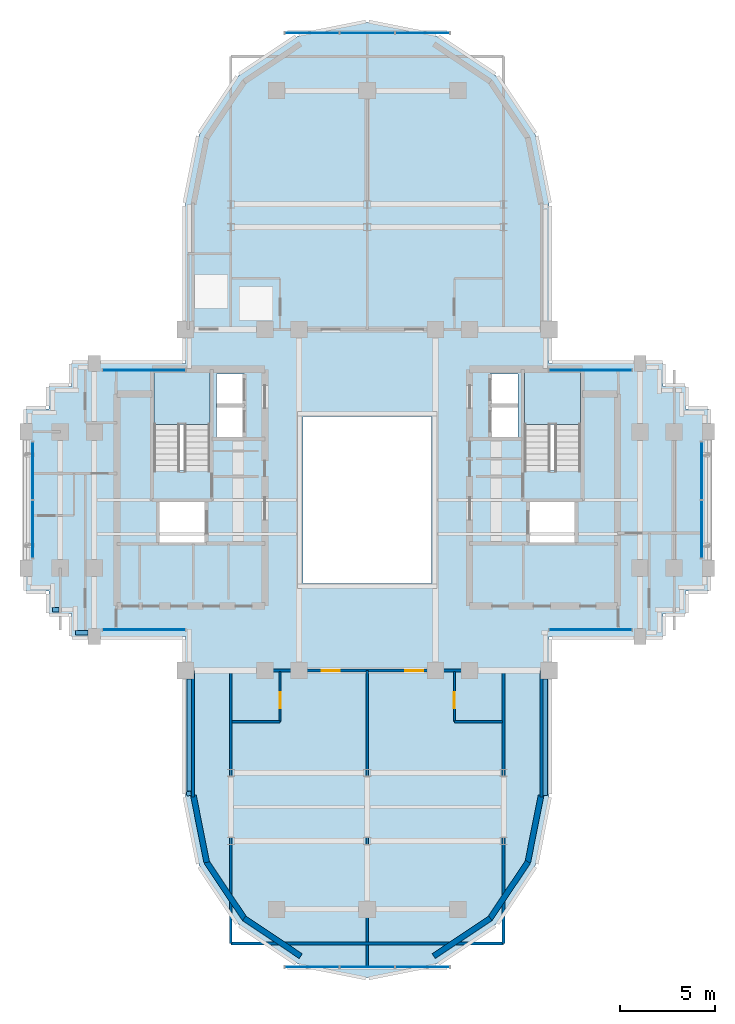
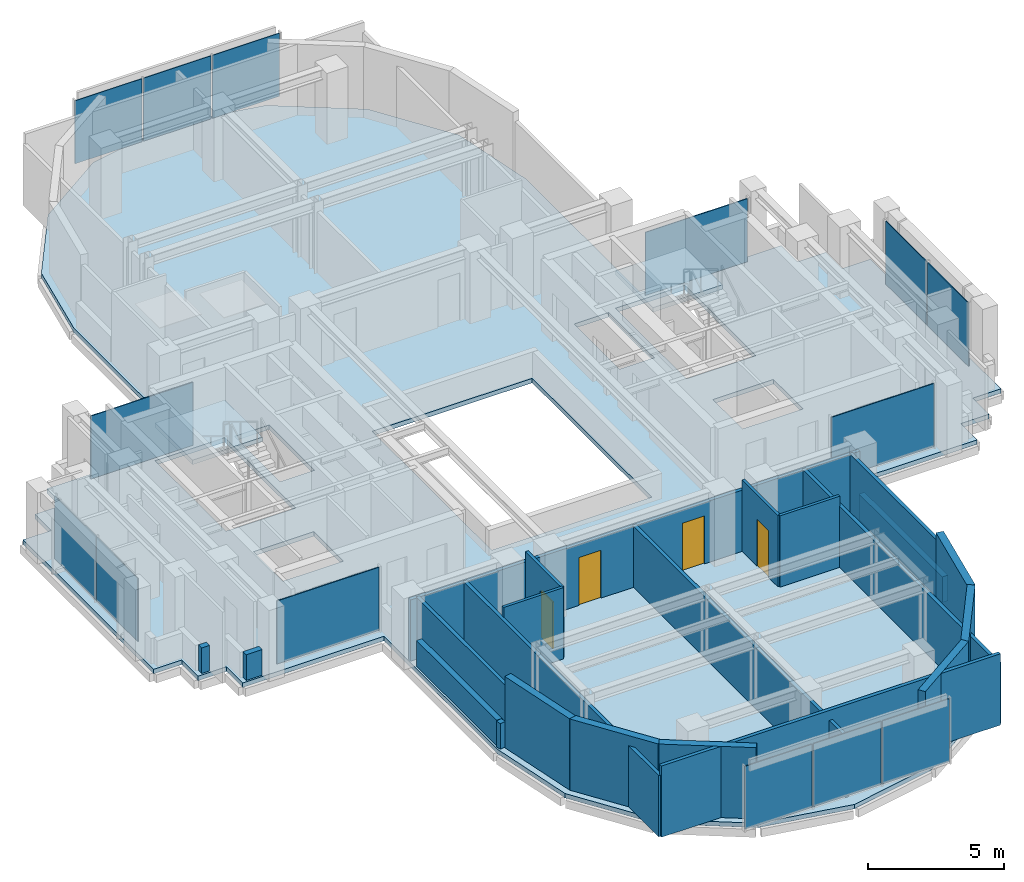
# One storey, part 5 of 12: 22 walls, 14 plates, 4 doors, 3 slabs, 4 openings, 10 elements without a shape of their own.
"""IFC4 building model written with IfcOpenShell, lengths in metres."""

from ifc_helpers import new_model, si_unit, direction, frame, frame_2d, origin, origin_2d, place, context, subcontext, project, spatial, polyline, rectangle, outline, extrude, source, transform, mapped, material, layer, layer_set, type_object, element, fill, aggregate, save


model = new_model("IFC4")

# Units and contexts
model_context = context("Model", 3, precision=1e-05, world=origin(), true_north=direction((0.0, 1.0)))
body_context = subcontext(model_context, "Body", "Model", "MODEL_VIEW")
ifc_project = project(units=[si_unit("LENGTHUNIT", "METRE"), si_unit("AREAUNIT", "SQUARE_METRE"), si_unit("VOLUMEUNIT", "CUBIC_METRE"), si_unit("PLANEANGLEUNIT", "RADIAN"), si_unit("MASSUNIT", "GRAM", prefix="KILO")], contexts=[model_context])

# Site, building, storey
site_placement = place(None, origin())
site = spatial("IfcSite", under=ifc_project, at=site_placement, CompositionType="ELEMENT")
building_placement = place(site_placement, origin())
building = spatial("IfcBuilding", under=site, at=building_placement, Name="Keilestroom Media Tower", CompositionType="ELEMENT")
storey_placement = place(building_placement, frame((0.0, 0.0, 184.199951171875)))
storey = spatial("IfcBuildingStorey", under=building, at=storey_placement, Name="L50", CompositionType="ELEMENT", Elevation=184.199951171875)

# Slab
ifc_material_1 = material(Name="Concrete C50/60", Category="concrete")
ifc_layer_1 = layer(ifc_material_1, 0.199951171875)
ifc_layer_set_1 = layer_set([ifc_layer_1], Name="Concrete C50/60")
slab_type_1 = type_object("IfcSlabType", Name="Composite-Floor-Slab-200", PredefinedType="FLOOR", material=ifc_layer_set_1)
slab_1_placement = place(storey_placement, frame((0.0, 0.0, -0.199951171875)))
element("IfcSlab", 1, at=slab_1_placement, inside=storey, type_object=slab_type_1, Name="L50 Structural Composite Floor Slab", PredefinedType="FLOOR", context=body_context, shape_type="SweptSolid", body=[
    extrude(outline(polyline([(18.0, -4.800048828125), (18.0, 4.800048828125), (16.800048828125, 4.800048828125), (16.800048828125, 6.0), (15.60009765625, 6.0), (15.60009765625, 7.199951171875), (9.60009765625, 7.199951171875), (9.60009765625, 9.60009765625), (9.60009765625, 15.60009765625), (8.869140625, 19.273681640625), (6.7880859375, 22.38818359375), (3.673828125, 24.46923828125), (0.0, 25.199951171875), (-3.673828125, 24.46923828125), (-6.7880859375, 22.38818359375), (-8.869140625, 19.273681640625), (-9.60009765625, 15.60009765625), (-9.60009765625, 9.60009765625), (-9.60009765625, 7.199951171875), (-15.60009765625, 7.199951171875), (-15.60009765625, 6.0), (-16.800048828125, 6.0), (-16.800048828125, 4.800048828125), (-18.0, 4.800048828125), (-18.0, -4.800048828125), (-16.800048828125, -4.800048828125), (-16.800048828125, -6.0), (-15.60009765625, -6.0), (-15.60009765625, -7.199951171875), (-9.60009765625, -7.199951171875), (-9.60009765625, -9.60009765625), (-9.60009765625, -15.60009765625), (-8.869140625, -19.273681640625), (-6.7880859375, -22.38818359375), (-3.673828125, -24.46923828125), (0.0, -25.199951171875), (3.673828125, -24.46923828125), (6.7880859375, -22.38818359375), (8.869140625, -19.273681640625), (9.60009765625, -15.60009765625), (9.60009765625, -9.60009765625), (9.60009765625, -7.199951171875), (15.60009765625, -7.199951171875), (15.60009765625, -6.0), (16.800048828125, -6.0), (16.800048828125, -4.800048828125), (18.0, -4.800048828125)]), holes=[polyline([(-8.300048828125, 1.544921875), (-11.260009765625, 1.544921875), (-11.260009765625, 6.760009765625), (-8.300048828125, 6.760009765625), (-8.300048828125, 1.544921875)]), polyline([(-8.47998046875, -2.280029296875), (-11.050048828125, -2.280029296875), (-11.050048828125, -0.10009765625), (-8.47998046875, -0.10009765625), (-8.47998046875, -2.280029296875)]), polyline([(-6.47998046875, 3.300048828125), (-7.949951171875, 3.300048828125), (-7.949951171875, 6.64990234375), (-6.47998046875, 6.64990234375), (-6.47998046875, 3.300048828125)]), polyline([(3.39990234375, -4.39990234375), (-3.39990234375, -4.39990234375), (-3.39990234375, 4.39990234375), (3.39990234375, 4.39990234375), (3.39990234375, -4.39990234375)]), polyline([(7.949951171875, 3.300048828125), (6.47998046875, 3.300048828125), (6.47998046875, 6.64990234375), (7.949951171875, 6.64990234375), (7.949951171875, 3.300048828125)]), polyline([(11.260009765625, 1.544921875), (8.300048828125, 1.544921875), (8.300048828125, 6.760009765625), (11.260009765625, 6.760009765625), (11.260009765625, 1.544921875)]), polyline([(11.050048828125, -2.280029296875), (8.47998046875, -2.280029296875), (8.47998046875, -0.10009765625), (11.050048828125, -0.10009765625), (11.050048828125, -2.280029296875)])]), origin(), (0.0, 0.0, 1.0), 0.199951171875),
])

# Stair, slab
ifc_material_2 = material(Name="Concrete C45/55", Category="concrete")
stair_type = type_object("IfcStairType", Name="Enclosed-Dog-Leg-Stair-ST-CORE", PredefinedType="HALF_TURN_STAIR", material=ifc_material_2)
stair_1_placement = place(storey_placement, origin())
stair_1 = element("IfcStair", 2, at=stair_1_placement, inside=storey, type_object=stair_type, Name="L50 West Core Escape Stair ST-1", PredefinedType="HALF_TURN_STAIR")
ifc_layer_2 = layer(ifc_material_2, 0.199951171875)
ifc_layer_set_2 = layer_set([ifc_layer_2], Name="Concrete C45/55")
slab_type_2 = type_object("IfcSlabType", Name="Stair-Intermediate-And-Top-Landing-Slab-200", PredefinedType="LANDING", material=ifc_layer_set_2)
slab_2_placement = place(storey_placement, frame((0.0, 0.0, 1.5)))
slab_2 = element("IfcSlab", 3, at=slab_2_placement, type_object=slab_type_2, Name="ST-1 landing 1", PredefinedType="LANDING", context=body_context, shape_type="SweptSolid", body=[
    extrude(outline(polyline([(-8.300048828125, 3.99609375), (-8.300048828125, 6.760009765625), (-11.260009765625, 6.760009765625), (-11.260009765625, 3.99609375), (-8.300048828125, 3.99609375)])), origin(), (0.0, 0.0, 1.0), 0.199951171875),
])
aggregate(stair_1, [slab_2])

stair_2_placement = place(storey_placement, origin())
stair_2 = element("IfcStair", 4, at=stair_2_placement, inside=storey, type_object=stair_type, Name="L50 East Core Escape Stair ST-2", PredefinedType="HALF_TURN_STAIR")
slab_3_placement = place(storey_placement, frame((0.0, 0.0, 1.5)))
slab_3 = element("IfcSlab", 5, at=slab_3_placement, type_object=slab_type_2, Name="ST-2 landing 1", PredefinedType="LANDING", context=body_context, shape_type="SweptSolid", body=[
    extrude(outline(polyline([(11.260009765625, 3.99609375), (11.260009765625, 6.760009765625), (8.300048828125, 6.760009765625), (8.300048828125, 3.99609375), (11.260009765625, 3.99609375)])), origin(), (0.0, 0.0, 1.0), 0.199951171875),
])
aggregate(stair_2, [slab_3])

# Curtain wall, plates
ifc_material_3 = material(Name="Anodised Aluminium Alloy", Category="aluminium")
curtain_wall_type_1 = type_object("IfcCurtainWallType", Name="Unitised-Curtain-Wall-CW-6", PredefinedType="NOTDEFINED", material=ifc_material_3)
curtain_wall_1_placement = place(storey_placement, origin())
curtain_wall_1 = element("IfcCurtainWall", 6, at=curtain_wall_1_placement, inside=storey, type_object=curtain_wall_type_1, Name="L50 Curtain Wall CW-6 CW-L50-LN-1", PredefinedType="NOTDEFINED")
ifc_material_4 = material(Name="Curved-Facet Triple Glazed Unit", Category="glass")
ifc_layer_3 = layer(ifc_material_4, 0.033935546875)
ifc_layer_set_3 = layer_set([ifc_layer_3], Name="Curved-Facet Triple Glazed Unit")
plate_type_1 = type_object("IfcPlateType", Name="Insulated-Curtain-Wall-Glazing-Panel-CW-6", PredefinedType="CURTAIN_PANEL", material=ifc_layer_set_3)
shared_shape_1 = source(origin(), body_context, "Body", "SweptSolid", [
    extrude(rectangle(XDim=2.84375, YDim=0.033935546875, at=origin_2d()), origin(), (0.0, 0.0, 1.0), 2.833984375),
])
plate_1_placement = place(storey_placement, frame((-2.9169921875, 24.64990234375, 0.072998046875), z_axis=(0.0, 0.0, 1.0), x_axis=(1.0, 0.0, 0.0)))
plate_1 = element("IfcPlate", 7, at=plate_1_placement, type_object=plate_type_1, Name="CW-6 Unitised Glazing 00", PredefinedType="CURTAIN_PANEL", context=body_context, shape_type="MappedRepresentation", body=[
    mapped(shared_shape_1, transform((0.0, 0.0, 0.0), x_axis=(1.0, 0.0, 0.0), y_axis=(0.0, 1.0, 0.0), z_axis=(0.0, 0.0, 1.0), scale=1.0)),
])
plate_2_placement = place(storey_placement, frame((2.9169921875, 24.64990234375, 0.072998046875), z_axis=(0.0, 0.0, 1.0), x_axis=(1.0, 0.0, 0.0)))
plate_2 = element("IfcPlate", 8, at=plate_2_placement, type_object=plate_type_1, Name="CW-6 Unitised Glazing 02", PredefinedType="CURTAIN_PANEL", context=body_context, shape_type="MappedRepresentation", body=[
    mapped(shared_shape_1, transform((0.0, 0.0, 0.0), x_axis=(1.0, 0.0, 0.0), y_axis=(0.0, 1.0, 0.0), z_axis=(0.0, 0.0, 1.0), scale=1.0)),
])

curtain_wall_2_placement = place(storey_placement, origin())
curtain_wall_2 = element("IfcCurtainWall", 9, at=curtain_wall_2_placement, inside=storey, type_object=curtain_wall_type_1, Name="L50 Curtain Wall CW-6 CW-L50-LS-1", PredefinedType="NOTDEFINED")
plate_3_placement = place(storey_placement, frame((-2.9169921875, -24.64990234375, 0.072998046875), z_axis=(0.0, 0.0, 1.0), x_axis=(1.0, 0.0, 0.0)))
plate_3 = element("IfcPlate", 10, at=plate_3_placement, type_object=plate_type_1, Name="CW-6 Unitised Glazing 00", PredefinedType="CURTAIN_PANEL", context=body_context, shape_type="MappedRepresentation", body=[
    mapped(shared_shape_1, transform((0.0, 0.0, 0.0), x_axis=(1.0, 0.0, 0.0), y_axis=(0.0, 1.0, 0.0), z_axis=(0.0, 0.0, 1.0), scale=1.0)),
])
plate_4_placement = place(storey_placement, frame((2.9169921875, -24.64990234375, 0.072998046875), z_axis=(0.0, 0.0, 1.0), x_axis=(1.0, 0.0, 0.0)))
plate_4 = element("IfcPlate", 11, at=plate_4_placement, type_object=plate_type_1, Name="CW-6 Unitised Glazing 02", PredefinedType="CURTAIN_PANEL", context=body_context, shape_type="MappedRepresentation", body=[
    mapped(shared_shape_1, transform((0.0, 0.0, 0.0), x_axis=(1.0, 0.0, 0.0), y_axis=(0.0, 1.0, 0.0), z_axis=(0.0, 0.0, 1.0), scale=1.0)),
])

# Plate
shared_shape_2 = source(origin(), body_context, "Body", "SweptSolid", [
    extrude(rectangle(XDim=2.876220703125, YDim=0.033935546875, at=origin_2d()), origin(), (0.0, 0.0, 1.0), 2.833984375),
])
plate_5_placement = place(storey_placement, frame((0.0, 24.64990234375, 0.072998046875), z_axis=(0.0, 0.0, 1.0), x_axis=(1.0, 0.0, 0.0)))
plate_5 = element("IfcPlate", 12, at=plate_5_placement, type_object=plate_type_1, Name="CW-6 Unitised Glazing 01", PredefinedType="CURTAIN_PANEL", context=body_context, shape_type="MappedRepresentation", body=[
    mapped(shared_shape_2, transform((0.0, 0.0, 0.0), x_axis=(1.0, 0.0, 0.0), y_axis=(0.0, 1.0, 0.0), z_axis=(0.0, 0.0, 1.0), scale=1.0)),
])

aggregate(curtain_wall_1, [plate_1, plate_5, plate_2])

plate_6_placement = place(storey_placement, frame((0.0, -24.64990234375, 0.072998046875), z_axis=(0.0, 0.0, 1.0), x_axis=(1.0, 0.0, 0.0)))
plate_6 = element("IfcPlate", 13, at=plate_6_placement, type_object=plate_type_1, Name="CW-6 Unitised Glazing 01", PredefinedType="CURTAIN_PANEL", context=body_context, shape_type="MappedRepresentation", body=[
    mapped(shared_shape_2, transform((0.0, 0.0, 0.0), x_axis=(1.0, 0.0, 0.0), y_axis=(0.0, 1.0, 0.0), z_axis=(0.0, 0.0, 1.0), scale=1.0)),
])

aggregate(curtain_wall_2, [plate_3, plate_6, plate_4])

# Curtain wall, plate
curtain_wall_type_2 = type_object("IfcCurtainWallType", Name="Unitised-Curtain-Wall-CW-3", PredefinedType="NOTDEFINED", material=ifc_material_3)
curtain_wall_3_placement = place(storey_placement, origin())
curtain_wall_3 = element("IfcCurtainWall", 14, at=curtain_wall_3_placement, inside=storey, type_object=curtain_wall_type_2, Name="L50 Curtain Wall CW-3 CW-L50-NW-1", PredefinedType="NOTDEFINED")
ifc_material_5 = material(Name="Triple Glazed Acoustic Low-E Unit", Category="glass")
ifc_layer_4 = layer(ifc_material_5, 0.0380859375)
ifc_layer_set_4 = layer_set([ifc_layer_4], Name="Triple Glazed Acoustic Low-E Unit")
plate_type_2 = type_object("IfcPlateType", Name="Insulated-Curtain-Wall-Glazing-Panel-CW-3", PredefinedType="CURTAIN_PANEL", material=ifc_layer_set_4)
shared_shape_3 = source(origin(), body_context, "Body", "SweptSolid", [
    extrude(rectangle(XDim=4.343017578125, YDim=0.0380859375, at=origin_2d()), origin(), (0.0, 0.0, 1.0), 2.833984375),
])
plate_7_placement = place(storey_placement, frame((-11.782470703125, 6.85009765625, 0.072998046875), z_axis=(0.0, 0.0, 1.0), x_axis=(1.0, 0.0, 0.0)))
plate_7 = element("IfcPlate", 15, at=plate_7_placement, type_object=plate_type_2, Name="CW-3 Unitised Glazing 00", PredefinedType="CURTAIN_PANEL", context=body_context, shape_type="MappedRepresentation", body=[
    mapped(shared_shape_3, transform((0.0, 0.0, 0.0), x_axis=(1.0, 0.0, 0.0), y_axis=(0.0, 1.0, 0.0), z_axis=(0.0, 0.0, 1.0), scale=1.0)),
])
aggregate(curtain_wall_3, [plate_7])

curtain_wall_4_placement = place(storey_placement, origin())
curtain_wall_4 = element("IfcCurtainWall", 16, at=curtain_wall_4_placement, inside=storey, type_object=curtain_wall_type_2, Name="L50 Curtain Wall CW-3 CW-L50-NE-1", PredefinedType="NOTDEFINED")
plate_8_placement = place(storey_placement, frame((11.782470703125, 6.85009765625, 0.072998046875), z_axis=(0.0, 0.0, 1.0), x_axis=(1.0, 0.0, 0.0)))
plate_8 = element("IfcPlate", 17, at=plate_8_placement, type_object=plate_type_2, Name="CW-3 Unitised Glazing 00", PredefinedType="CURTAIN_PANEL", context=body_context, shape_type="MappedRepresentation", body=[
    mapped(shared_shape_3, transform((0.0, 0.0, 0.0), x_axis=(1.0, 0.0, 0.0), y_axis=(0.0, 1.0, 0.0), z_axis=(0.0, 0.0, 1.0), scale=1.0)),
])
aggregate(curtain_wall_4, [plate_8])

curtain_wall_5_placement = place(storey_placement, origin())
curtain_wall_5 = element("IfcCurtainWall", 18, at=curtain_wall_5_placement, inside=storey, type_object=curtain_wall_type_2, Name="L50 Curtain Wall CW-3 CW-L50-SW-1", PredefinedType="NOTDEFINED")
plate_9_placement = place(storey_placement, frame((-11.782470703125, -6.85009765625, 0.072998046875), z_axis=(0.0, 0.0, 1.0), x_axis=(1.0, 0.0, 0.0)))
plate_9 = element("IfcPlate", 19, at=plate_9_placement, type_object=plate_type_2, Name="CW-3 Unitised Glazing 00", PredefinedType="CURTAIN_PANEL", context=body_context, shape_type="MappedRepresentation", body=[
    mapped(shared_shape_3, transform((0.0, 0.0, 0.0), x_axis=(1.0, 0.0, 0.0), y_axis=(0.0, 1.0, 0.0), z_axis=(0.0, 0.0, 1.0), scale=1.0)),
])
aggregate(curtain_wall_5, [plate_9])

curtain_wall_6_placement = place(storey_placement, origin())
curtain_wall_6 = element("IfcCurtainWall", 20, at=curtain_wall_6_placement, inside=storey, type_object=curtain_wall_type_2, Name="L50 Curtain Wall CW-3 CW-L50-SE-1", PredefinedType="NOTDEFINED")
plate_10_placement = place(storey_placement, frame((11.782470703125, -6.85009765625, 0.072998046875), z_axis=(0.0, 0.0, 1.0), x_axis=(1.0, 0.0, 0.0)))
plate_10 = element("IfcPlate", 21, at=plate_10_placement, type_object=plate_type_2, Name="CW-3 Unitised Glazing 00", PredefinedType="CURTAIN_PANEL", context=body_context, shape_type="MappedRepresentation", body=[
    mapped(shared_shape_3, transform((0.0, 0.0, 0.0), x_axis=(1.0, 0.0, 0.0), y_axis=(0.0, 1.0, 0.0), z_axis=(0.0, 0.0, 1.0), scale=1.0)),
])
aggregate(curtain_wall_6, [plate_10])

# Curtain wall, plates
curtain_wall_7_placement = place(storey_placement, origin())
curtain_wall_7 = element("IfcCurtainWall", 22, at=curtain_wall_7_placement, inside=storey, type_object=curtain_wall_type_2, Name="L50 Curtain Wall CW-3 CW-L50-W-1", PredefinedType="NOTDEFINED")
shared_shape_4 = source(origin(), body_context, "Body", "SweptSolid", [
    extrude(rectangle(XDim=3.025390625, YDim=0.0380859375, at=origin_2d()), origin(), (0.0, 0.0, 1.0), 2.833984375),
])
plate_11_placement = place(storey_placement, frame((-17.64990234375, -1.541259765625, 0.072998046875), z_axis=(0.0, 0.0, 1.0), x_axis=(0.0, 1.0, 0.0)))
plate_11 = element("IfcPlate", 23, at=plate_11_placement, type_object=plate_type_2, Name="CW-3 Unitised Glazing 00", PredefinedType="CURTAIN_PANEL", context=body_context, shape_type="MappedRepresentation", body=[
    mapped(shared_shape_4, transform((0.0, 0.0, 0.0), x_axis=(1.0, 0.0, 0.0), y_axis=(0.0, 1.0, 0.0), z_axis=(0.0, 0.0, 1.0), scale=1.0)),
])
plate_12_placement = place(storey_placement, frame((-17.64990234375, 1.541259765625, 0.072998046875), z_axis=(0.0, 0.0, 1.0), x_axis=(0.0, 1.0, 0.0)))
plate_12 = element("IfcPlate", 24, at=plate_12_placement, type_object=plate_type_2, Name="CW-3 Unitised Glazing 01", PredefinedType="CURTAIN_PANEL", context=body_context, shape_type="MappedRepresentation", body=[
    mapped(shared_shape_4, transform((0.0, 0.0, 0.0), x_axis=(1.0, 0.0, 0.0), y_axis=(0.0, 1.0, 0.0), z_axis=(0.0, 0.0, 1.0), scale=1.0)),
])
aggregate(curtain_wall_7, [plate_11, plate_12])

curtain_wall_8_placement = place(storey_placement, origin())
curtain_wall_8 = element("IfcCurtainWall", 25, at=curtain_wall_8_placement, inside=storey, type_object=curtain_wall_type_2, Name="L50 Curtain Wall CW-3 CW-L50-E-1", PredefinedType="NOTDEFINED")
plate_13_placement = place(storey_placement, frame((17.64990234375, -1.541259765625, 0.072998046875), z_axis=(0.0, 0.0, 1.0), x_axis=(0.0, 1.0, 0.0)))
plate_13 = element("IfcPlate", 26, at=plate_13_placement, type_object=plate_type_2, Name="CW-3 Unitised Glazing 00", PredefinedType="CURTAIN_PANEL", context=body_context, shape_type="MappedRepresentation", body=[
    mapped(shared_shape_4, transform((0.0, 0.0, 0.0), x_axis=(1.0, 0.0, 0.0), y_axis=(0.0, 1.0, 0.0), z_axis=(0.0, 0.0, 1.0), scale=1.0)),
])
plate_14_placement = place(storey_placement, frame((17.64990234375, 1.541259765625, 0.072998046875), z_axis=(0.0, 0.0, 1.0), x_axis=(0.0, 1.0, 0.0)))
plate_14 = element("IfcPlate", 27, at=plate_14_placement, type_object=plate_type_2, Name="CW-3 Unitised Glazing 01", PredefinedType="CURTAIN_PANEL", context=body_context, shape_type="MappedRepresentation", body=[
    mapped(shared_shape_4, transform((0.0, 0.0, 0.0), x_axis=(1.0, 0.0, 0.0), y_axis=(0.0, 1.0, 0.0), z_axis=(0.0, 0.0, 1.0), scale=1.0)),
])
aggregate(curtain_wall_8, [plate_13, plate_14])

# Walls
ifc_material_6 = material(Name="Precast concrete C40/50", Category="concrete")
ifc_layer_5 = layer(ifc_material_6, 0.300048828125)
ifc_layer_set_5 = layer_set([ifc_layer_5], Name="Precast concrete C40/50")
wall_type_1 = type_object("IfcWallType", Name="Exterior-Masonry-Spandrel-Wall-300", PredefinedType="SOLIDWALL", material=ifc_layer_set_5)
for number, where, z_axis, x_axis, name in (
    (28, (-9.1748046875, -15.585205078125, 0.0), (0.0, 0.0, 1.0), (0.195114232679, -0.980780523974, 0.0), "L50 Lobe Facet Precast Frame Wall 07"),
    (29, (-8.48193359375, -19.097412109375, 0.0), (0.0, 0.0, 1.0), (0.555574187116, -0.831466970246, 0.0), "L50 Lobe Facet Precast Frame Wall 08"),
):
    element("IfcWall", number, at=place(storey_placement, frame(where, z_axis=z_axis, x_axis=x_axis)), inside=storey, type_object=wall_type_1, Name=name, PredefinedType="SOLIDWALL", context=body_context, shape_type="SweptSolid", body=[
        extrude(rectangle(XDim=3.608642578125, YDim=0.300048828125, at=frame_2d((1.80419921875, 0.0))), origin(), (0.0, 0.0, 1.0), 3.199951171875),
    ])
for number, where, z_axis, x_axis, name in (
    (30, (-6.497802734375, -22.0771484375, 0.0), (0.0, 0.0, 1.0), (0.8314749531, -0.555562239868, 0.0), "L50 Lobe Facet Precast Frame Wall 09"),
    (31, (3.510009765625, -24.073486328125, 0.0), (0.0, 0.0, 1.0), (0.8314749531, 0.555562239868, 0.0), "L50 Lobe Facet Precast Frame Wall 10"),
):
    element("IfcWall", number, at=place(storey_placement, frame(where, z_axis=z_axis, x_axis=x_axis)), inside=storey, type_object=wall_type_1, Name=name, PredefinedType="SOLIDWALL", context=body_context, shape_type="SweptSolid", body=[
        extrude(rectangle(XDim=3.59326171875, YDim=0.300048828125, at=frame_2d((1.796630859375, 0.0))), origin(), (0.0, 0.0, 1.0), 3.199951171875),
    ])
for number, where, z_axis, x_axis, name in (
    (32, (6.47705078125, -22.097900390625, 0.0), (0.0, 0.0, 1.0), (0.555574187116, 0.831466970246, 0.0), "L50 Lobe Facet Precast Frame Wall 11"),
    (33, (8.470703125, -19.12451171875, 0.0), (0.0, 0.0, 1.0), (0.195114232679, 0.980780523974, 0.0), "L50 Lobe Facet Precast Frame Wall 12"),
):
    element("IfcWall", number, at=place(storey_placement, frame(where, z_axis=z_axis, x_axis=x_axis)), inside=storey, type_object=wall_type_1, Name=name, PredefinedType="SOLIDWALL", context=body_context, shape_type="SweptSolid", body=[
        extrude(rectangle(XDim=3.608642578125, YDim=0.300048828125, at=frame_2d((1.80419921875, 0.0))), origin(), (0.0, 0.0, 1.0), 3.199951171875),
    ])

# Wall, opening, door
ifc_material_7 = material(Name="Gypsum Plasterboard & Steel Stud", Category="steel")
ifc_layer_6 = layer(ifc_material_7, 0.1201171875)
ifc_layer_set_6 = layer_set([ifc_layer_6], Name="Gypsum Plasterboard & Steel Stud")
wall_type_2 = type_object("IfcWallType", Name="Interior-Partition-Wall-120", PredefinedType="PARTITIONING", material=ifc_layer_set_6)
wall_1_placement = place(storey_placement, frame((-4.60009765625, -11.699951171875, 0.0), z_axis=(0.0, 0.0, 1.0), x_axis=(0.0, 1.0, 0.0)))
wall_1 = element("IfcWall", 34, at=wall_1_placement, inside=storey, type_object=wall_type_2, Name="L50 Interior Wall WP-L50-ENSW-SW", PredefinedType="PARTITIONING", context=body_context, shape_type="SweptSolid", body=[
    extrude(rectangle(XDim=2.639892578125, YDim=0.1201171875, at=frame_2d((1.31982421875, 0.0))), origin(), (0.0, 0.0, 1.0), 3.199951171875),
])
opening_1_placement = place(wall_1_placement, frame((0.699951171875, 0.0, 0.0)))
opening_1 = element("IfcOpeningElement", 35, at=opening_1_placement, cuts=wall_1, Name="Opening DI-05", PredefinedType="OPENING", context=body_context, shape_type="SweptSolid", body=[
    extrude(rectangle(XDim=0.85009765625, YDim=2.10009765625, at=frame_2d((0.425048828125, 1.050048828125))), frame((0.0, 0.070068359375, 0.0), z_axis=(0.0, -1.0, 0.0), x_axis=(1.0, 0.0, 0.0)), (0.0, 0.0, 1.0), 0.14013671875),
])
ifc_material_8 = material(Name="Moisture-Resistant Oak Leaf", Category="wood")
door_type_1 = type_object("IfcDoorType", Name="Interior-En-Suite-And-Cupboard-Door-DI-05", OperationType="NOTDEFINED", PredefinedType="DOOR", material=ifc_material_8)
shared_shape_5 = source(origin(), body_context, "Body", "SweptSolid", [
    extrude(rectangle(XDim=0.85009765625, YDim=2.10009765625, at=frame_2d((0.425048828125, 1.050048828125))), frame((0.0, 0.02490234375, 0.0), z_axis=(0.0, -1.0, 0.0), x_axis=(1.0, 0.0, 0.0)), (0.0, 0.0, 1.0), 0.050048828125),
])
door_1_placement = place(opening_1_placement, origin())
door_1 = element("IfcDoor", 36, at=door_1_placement, inside=storey, type_object=door_type_1, Name="L50 Interior Door DI-L50-DENS-SW", OperationType="SINGLE_SWING_RIGHT", OverallHeight=2.10009765625, OverallWidth=0.85009765625, PredefinedType="DOOR", context=body_context, shape_type="MappedRepresentation", body=[
    mapped(shared_shape_5, transform((0.0, 0.0, 0.0), x_axis=(1.0, 0.0, 0.0), y_axis=(0.0, 1.0, 0.0), z_axis=(0.0, 0.0, 1.0), scale=1.0)),
])
fill(opening_1, door_1)

# Wall
wall_2_placement = place(storey_placement, frame((-7.139892578125, -11.699951171875, 0.0), z_axis=(0.0, 0.0, 1.0), x_axis=(1.0, 0.0, 0.0)))
element("IfcWall", 37, at=wall_2_placement, inside=storey, type_object=wall_type_2, Name="L50 Interior Wall WP-L50-ENSH-SW", PredefinedType="PARTITIONING", context=body_context, shape_type="SweptSolid", body=[
    extrude(rectangle(XDim=2.539794921875, YDim=0.1201171875, at=frame_2d((1.27001953125, 0.0))), origin(), (0.0, 0.0, 1.0), 3.199951171875),
])

# Wall, opening, door
wall_3_placement = place(storey_placement, frame((4.60009765625, -11.699951171875, 0.0), z_axis=(0.0, 0.0, 1.0), x_axis=(0.0, 1.0, 0.0)))
wall_3 = element("IfcWall", 38, at=wall_3_placement, inside=storey, type_object=wall_type_2, Name="L50 Interior Wall WP-L50-ENSW-SE", PredefinedType="PARTITIONING", context=body_context, shape_type="SweptSolid", body=[
    extrude(rectangle(XDim=2.639892578125, YDim=0.1201171875, at=frame_2d((1.31982421875, 0.0))), origin(), (0.0, 0.0, 1.0), 3.199951171875),
])
opening_2_placement = place(wall_3_placement, frame((0.699951171875, 0.0, 0.0)))
opening_2 = element("IfcOpeningElement", 39, at=opening_2_placement, cuts=wall_3, Name="Opening DI-05", PredefinedType="OPENING", context=body_context, shape_type="SweptSolid", body=[
    extrude(rectangle(XDim=0.85009765625, YDim=2.10009765625, at=frame_2d((0.425048828125, 1.050048828125))), frame((0.0, 0.070068359375, 0.0), z_axis=(0.0, -1.0, 0.0), x_axis=(1.0, 0.0, 0.0)), (0.0, 0.0, 1.0), 0.14013671875),
])
door_2_placement = place(opening_2_placement, origin())
door_2 = element("IfcDoor", 40, at=door_2_placement, inside=storey, type_object=door_type_1, Name="L50 Interior Door DI-L50-DENS-SE", OperationType="SINGLE_SWING_RIGHT", OverallHeight=2.10009765625, OverallWidth=0.85009765625, PredefinedType="DOOR", context=body_context, shape_type="MappedRepresentation", body=[
    mapped(shared_shape_5, transform((0.0, 0.0, 0.0), x_axis=(1.0, 0.0, 0.0), y_axis=(0.0, 1.0, 0.0), z_axis=(0.0, 0.0, 1.0), scale=1.0)),
])
fill(opening_2, door_2)

# Wall
wall_4_placement = place(storey_placement, frame((4.60009765625, -11.699951171875, 0.0), z_axis=(0.0, 0.0, 1.0), x_axis=(1.0, 0.0, 0.0)))
element("IfcWall", 41, at=wall_4_placement, inside=storey, type_object=wall_type_2, Name="L50 Interior Wall WP-L50-ENSH-SE", PredefinedType="PARTITIONING", context=body_context, shape_type="SweptSolid", body=[
    extrude(rectangle(XDim=2.539794921875, YDim=0.1201171875, at=frame_2d((1.27001953125, 0.0))), origin(), (0.0, 0.0, 1.0), 3.199951171875),
])

# Wall, openings, doors
ifc_layer_7 = layer(ifc_material_7, 0.14990234375)
ifc_layer_set_7 = layer_set([ifc_layer_7], Name="Gypsum Plasterboard & Steel Stud")
wall_type_3 = type_object("IfcWallType", Name="Interior-Partition-Wall-150", PredefinedType="PARTITIONING", material=ifc_layer_set_7)
wall_5_placement = place(storey_placement, frame((-9.550048828125, -9.0, 0.0), z_axis=(0.0, 0.0, 1.0), x_axis=(1.0, 0.0, 0.0)))
wall_5 = element("IfcWall", 42, at=wall_5_placement, inside=storey, type_object=wall_type_3, Name="L50 Interior Wall WP-L50-H306-S-BASE", PredefinedType="PARTITIONING", context=body_context, shape_type="SweptSolid", body=[
    extrude(rectangle(XDim=19.10009765625, YDim=0.14990234375, at=frame_2d((9.550048828125, 0.0))), origin(), (0.0, 0.0, 1.0), 2.75),
])
opening_3_placement = place(wall_5_placement, frame((7.14990234375, 0.0, 0.0)))
opening_3 = element("IfcOpeningElement", 43, at=opening_3_placement, cuts=wall_5, Name="Opening DI-03", PredefinedType="OPENING", context=body_context, shape_type="SweptSolid", body=[
    extrude(rectangle(XDim=0.949951171875, YDim=2.14990234375, at=frame_2d((0.47509765625, 1.074951171875))), frame((0.0, 0.0849609375, 0.0), z_axis=(0.0, -1.0, 0.0), x_axis=(1.0, 0.0, 0.0)), (0.0, 0.0, 1.0), 0.169921875),
])
opening_4_placement = place(wall_5_placement, frame((11.550048828125, 0.0, 0.0)))
opening_4 = element("IfcOpeningElement", 44, at=opening_4_placement, cuts=wall_5, Name="Opening DI-03", PredefinedType="OPENING", context=body_context, shape_type="SweptSolid", body=[
    extrude(rectangle(XDim=0.949951171875, YDim=2.14990234375, at=frame_2d((0.47509765625, 1.074951171875))), frame((0.0, 0.0849609375, 0.0), z_axis=(0.0, -1.0, 0.0), x_axis=(1.0, 0.0, 0.0)), (0.0, 0.0, 1.0), 0.169921875),
])
ifc_material_9 = material(Name="Lacquered European Oak Leaf", Category="wood")
door_type_2 = type_object("IfcDoorType", Name="Interior-Room-And-Suite-Door-DI-03", OperationType="NOTDEFINED", PredefinedType="DOOR", material=ifc_material_9)
shared_shape_6 = source(origin(), body_context, "Body", "SweptSolid", [
    extrude(rectangle(XDim=0.949951171875, YDim=2.14990234375, at=frame_2d((0.47509765625, 1.074951171875))), frame((0.0, 0.02490234375, 0.0), z_axis=(0.0, -1.0, 0.0), x_axis=(1.0, 0.0, 0.0)), (0.0, 0.0, 1.0), 0.050048828125),
])
door_3_placement = place(opening_3_placement, origin())
door_3 = element("IfcDoor", 45, at=door_3_placement, inside=storey, type_object=door_type_2, Name="L50 Interior Door DI-L50-DHTL-SW", OperationType="SINGLE_SWING_LEFT", OverallHeight=2.14990234375, OverallWidth=0.949951171875, PredefinedType="DOOR", context=body_context, shape_type="MappedRepresentation", body=[
    mapped(shared_shape_6, transform((0.0, 0.0, 0.0), x_axis=(1.0, 0.0, 0.0), y_axis=(0.0, 1.0, 0.0), z_axis=(0.0, 0.0, 1.0), scale=1.0)),
])
fill(opening_3, door_3)
door_4_placement = place(opening_4_placement, origin())
door_4 = element("IfcDoor", 46, at=door_4_placement, inside=storey, type_object=door_type_2, Name="L50 Interior Door DI-L50-DHTL-SE", OperationType="SINGLE_SWING_LEFT", OverallHeight=2.14990234375, OverallWidth=0.949951171875, PredefinedType="DOOR", context=body_context, shape_type="MappedRepresentation", body=[
    mapped(shared_shape_6, transform((0.0, 0.0, 0.0), x_axis=(1.0, 0.0, 0.0), y_axis=(0.0, 1.0, 0.0), z_axis=(0.0, 0.0, 1.0), scale=1.0)),
])
fill(opening_4, door_4)

# Walls
for number, where, z_axis, x_axis, name in (
    (47, (-9.199951171875, -15.679931640625, 0.0), (0.0, 0.0, 1.0), (0.0, 1.0, 0.0), "L50 Interior Wall WP-L50-SL-CHKW"),
    (48, (9.199951171875, -15.679931640625, 0.0), (0.0, 0.0, 1.0), (0.0, 1.0, 0.0), "L50 Interior Wall WP-L50-SL-CHKE"),
):
    element("IfcWall", number, at=place(storey_placement, frame(where, z_axis=z_axis, x_axis=x_axis)), inside=storey, type_object=wall_type_3, Name=name, PredefinedType="PARTITIONING", context=body_context, shape_type="SweptSolid", body=[
        extrude(rectangle(XDim=6.679931640625, YDim=0.14990234375, at=frame_2d((3.33984375, 0.0))), origin(), (0.0, 0.0, 1.0), 2.75),
    ])
wall_6_placement = place(storey_placement, frame((-7.199951171875, -23.39990234375, 0.0), z_axis=(0.0, 0.0, 1.0), x_axis=(0.0, 1.0, 0.0)))
element("IfcWall", 49, at=wall_6_placement, inside=storey, type_object=wall_type_3, Name="L50 Interior Wall WP-L50-H306-SV--72", PredefinedType="PARTITIONING", context=body_context, shape_type="SweptSolid", body=[
    extrude(rectangle(XDim=14.39990234375, YDim=0.14990234375, at=frame_2d((7.199951171875, 0.0))), origin(), (0.0, 0.0, 1.0), 2.75),
])
wall_7_placement = place(storey_placement, frame((0.0, -24.64990234375, 0.0), z_axis=(0.0, 0.0, 1.0), x_axis=(0.0, 1.0, 0.0)))
element("IfcWall", 50, at=wall_7_placement, inside=storey, type_object=wall_type_3, Name="L50 Interior Wall WP-L50-H306-SV-0", PredefinedType="PARTITIONING", context=body_context, shape_type="SweptSolid", body=[
    extrude(rectangle(XDim=15.64990234375, YDim=0.14990234375, at=frame_2d((7.824951171875, 0.0))), origin(), (0.0, 0.0, 1.0), 2.75),
])
wall_8_placement = place(storey_placement, frame((7.199951171875, -23.39990234375, 0.0), z_axis=(0.0, 0.0, 1.0), x_axis=(0.0, 1.0, 0.0)))
element("IfcWall", 51, at=wall_8_placement, inside=storey, type_object=wall_type_3, Name="L50 Interior Wall WP-L50-H306-SV-72", PredefinedType="PARTITIONING", context=body_context, shape_type="SweptSolid", body=[
    extrude(rectangle(XDim=14.39990234375, YDim=0.14990234375, at=frame_2d((7.199951171875, 0.0))), origin(), (0.0, 0.0, 1.0), 2.75),
])
wall_9_placement = place(storey_placement, frame((-7.199951171875, -23.39990234375, 0.0), z_axis=(0.0, 0.0, 1.0), x_axis=(1.0, 0.0, 0.0)))
element("IfcWall", 52, at=wall_9_placement, inside=storey, type_object=wall_type_3, Name="L50 Interior Wall WP-L50-H306-STIP", PredefinedType="PARTITIONING", context=body_context, shape_type="SweptSolid", body=[
    extrude(rectangle(XDim=14.39990234375, YDim=0.14990234375, at=frame_2d((7.199951171875, 0.0))), origin(), (0.0, 0.0, 1.0), 3.199951171875),
])
ifc_layer_8 = layer(ifc_material_6, 0.239990234375)
ifc_layer_set_8 = layer_set([ifc_layer_8], Name="Precast concrete C40/50")
wall_type_4 = type_object("IfcWallType", Name="Roof-And-Terrace-Parapet-Wall-240", PredefinedType="PARAPET", material=ifc_layer_set_8)
wall_10_placement = place(storey_placement, frame((9.39990234375, -9.452880859375, 0.0), z_axis=(0.0, 0.0, 1.0), x_axis=(0.0, -1.0, 0.0)))
element("IfcWall", 53, at=wall_10_placement, inside=storey, type_object=wall_type_4, Name="L50 Perimeter Edge Parapet Wall 09", PredefinedType="PARAPET", context=body_context, shape_type="SweptSolid", body=[
    extrude(rectangle(XDim=6.14990234375, YDim=0.239990234375, at=frame_2d((3.074951171875, 0.0))), origin(), (0.0, 0.0, 1.0), 1.150146484375),
])
wall_11_placement = place(storey_placement, frame((-9.395263671875, -15.604248046875, 0.0), z_axis=(0.0, 0.0, 1.0), x_axis=(-0.194652052864, 0.980872355771, 0.0)))
element("IfcWall", 54, at=wall_11_placement, inside=storey, type_object=wall_type_4, Name="L50 Perimeter Edge Parapet Wall 10", PredefinedType="PARAPET", context=body_context, shape_type="SweptSolid", body=[
    extrude(rectangle(XDim=0.224609375, YDim=0.239990234375, at=frame_2d((0.1123046875, 0.0))), origin(), (0.0, 0.0, 1.0), 1.150146484375),
])
wall_12_placement = place(storey_placement, frame((-9.39990234375, -15.357666015625, 0.0), z_axis=(0.0, 0.0, 1.0), x_axis=(0.0, 1.0, 0.0)))
element("IfcWall", 55, at=wall_12_placement, inside=storey, type_object=wall_type_4, Name="L50 Perimeter Edge Parapet Wall 11", PredefinedType="PARAPET", context=body_context, shape_type="SweptSolid", body=[
    extrude(rectangle(XDim=5.90478515625, YDim=0.239990234375, at=frame_2d((2.952392578125, 0.0))), origin(), (0.0, 0.0, 1.0), 1.150146484375),
])
wall_13_placement = place(storey_placement, frame((-14.72802734375, -7.0, 0.0), z_axis=(0.0, 0.0, 1.0), x_axis=(-1.0, 0.0, 0.0)))
element("IfcWall", 56, at=wall_13_placement, inside=storey, type_object=wall_type_4, Name="L50 Perimeter Edge Parapet Wall 13", PredefinedType="PARAPET", context=body_context, shape_type="SweptSolid", body=[
    extrude(rectangle(XDim=0.671875, YDim=0.239990234375, at=frame_2d((0.3359375, 0.0))), origin(), (0.0, 0.0, 1.0), 1.150146484375),
])
wall_14_placement = place(storey_placement, frame((-16.262939453125, -5.800048828125, 0.0), z_axis=(0.0, 0.0, 1.0), x_axis=(-1.0, 0.0, 0.0)))
element("IfcWall", 57, at=wall_14_placement, inside=storey, type_object=wall_type_4, Name="L50 Perimeter Edge Parapet Wall 16", PredefinedType="PARAPET", context=body_context, shape_type="SweptSolid", body=[
    extrude(rectangle(XDim=0.337158203125, YDim=0.239990234375, at=frame_2d((0.16845703125, 0.0))), origin(), (0.0, 0.0, 1.0), 1.150146484375),
])

save(model, "model.ifc")
